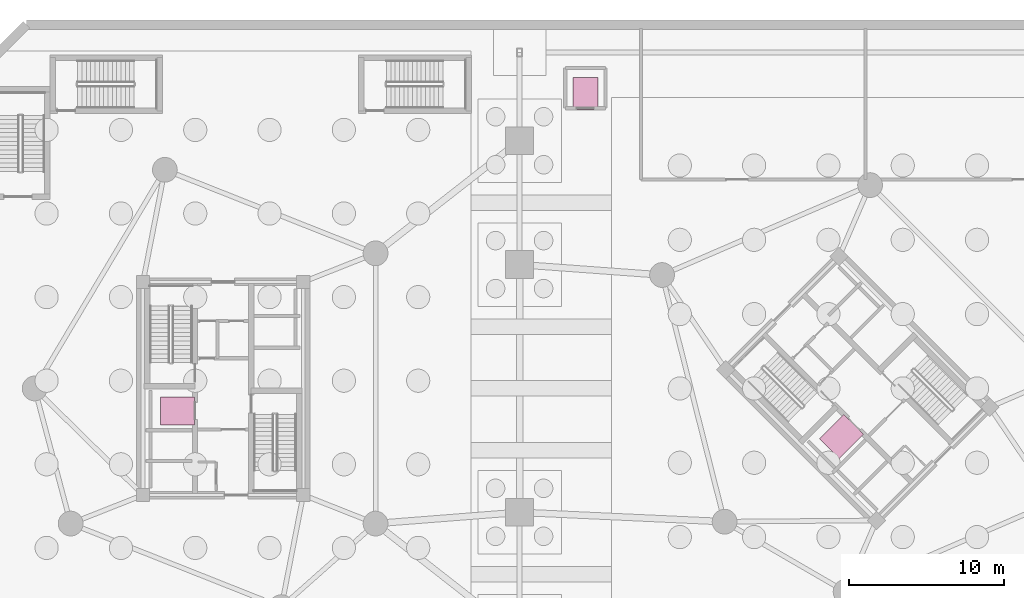
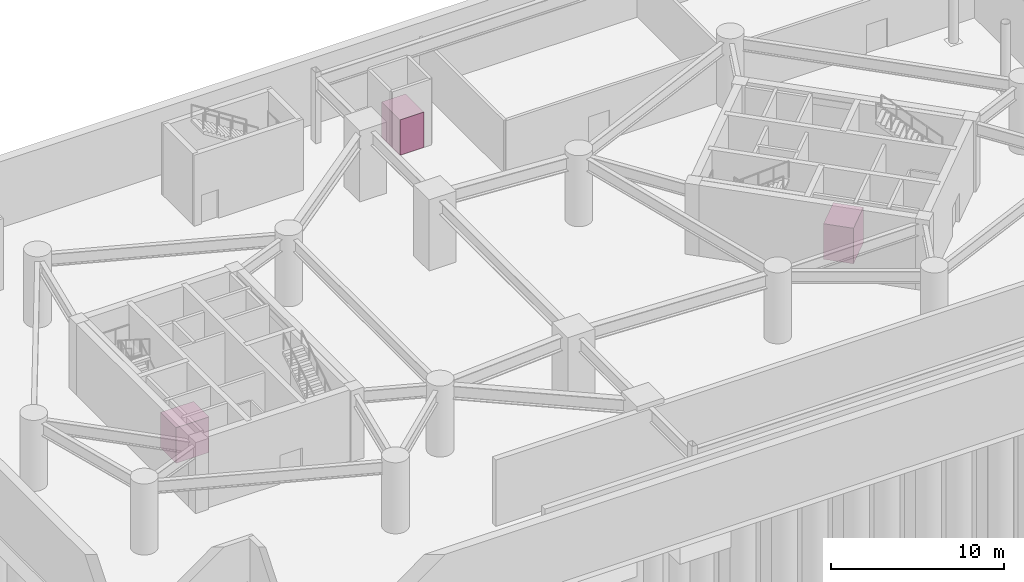
# One storey, part 15 of 15: 3 transport elements.
"""IFC4 building model written with IfcOpenShell, lengths in metres."""

from ifc_helpers import new_model, si_unit, direction, frame, origin, origin_2d, place, context, subcontext, project, spatial, rectangle, extrude, source, transform, mapped, material, type_object, element, save


model = new_model("IFC4")

# Units and contexts
model_context = context("Model", 3, precision=1e-05, world=origin(), true_north=direction((0.0, 1.0)))
body_context = subcontext(model_context, "Body", "Model", "MODEL_VIEW")
ifc_project = project(units=[si_unit("LENGTHUNIT", "METRE"), si_unit("AREAUNIT", "SQUARE_METRE"), si_unit("VOLUMEUNIT", "CUBIC_METRE"), si_unit("PLANEANGLEUNIT", "RADIAN"), si_unit("MASSUNIT", "GRAM", prefix="KILO")], contexts=[model_context])

# Site, building, storey
site_placement = place(None, origin())
site = spatial("IfcSite", under=ifc_project, at=site_placement, CompositionType="ELEMENT")
building_placement = place(site_placement, origin())
building = spatial("IfcBuilding", under=site, at=building_placement, Name="Cununo Teusaquillo Station Towers", CompositionType="ELEMENT")
storey_placement = place(building_placement, frame((0.0, 0.0, -10.0)))
storey = spatial("IfcBuildingStorey", under=building, at=storey_placement, Name="B02", CompositionType="ELEMENT", Elevation=-10.0)

# Transport elements
ifc_material_1 = material(Name="Anodised dark bronze aluminium EN AW-6063-T6", Category="aluminium")
transport_element_type_1 = type_object("IfcTransportElementType", Name="LIFT-FF-1800", PredefinedType="ELEVATOR", material=ifc_material_1)
shared_shape_1 = source(origin(), body_context, "Body", "SweptSolid", [
    extrude(rectangle(XDim=2.199951171875, YDim=1.800048828125, at=origin_2d()), origin(), (0.0, 0.0, 1.0), 2.5),
])
for number, where, z_axis, x_axis, name in (
    (1, (13.56005859375, 23.050048828125, 0.0), (0.0, 0.0, 1.0), (1.0, 0.0, 0.0), "Firefighting Lift FL-T1"),
    (2, (56.4462890625, 21.395751953125, 0.0), (0.0, 0.0, 1.0), (0.707106781187, 0.707106781187, 0.0), "Firefighting Lift FL-T2"),
):
    element("IfcTransportElement", number, at=place(storey_placement, frame(where, z_axis=z_axis, x_axis=x_axis)), inside=storey, type_object=transport_element_type_1, Name=name, PredefinedType="ELEVATOR", context=body_context, shape_type="MappedRepresentation", body=[
        mapped(shared_shape_1, transform((0.0, 0.0, 0.0), x_axis=(1.0, 0.0, 0.0), y_axis=(0.0, 1.0, 0.0), z_axis=(0.0, 0.0, 1.0), scale=1.0)),
    ])
ifc_material_2 = material(Name="Anodised dark bronze aluminium EN AW-6063-T6", Category="aluminium")
transport_element_type_2 = type_object("IfcTransportElementType", Name="LIFT-PASS-1600", PredefinedType="ELEVATOR", material=ifc_material_2)
shared_shape_2 = source(origin(), body_context, "Body", "SweptSolid", [
    extrude(rectangle(XDim=1.60009765625, YDim=2.10009765625, at=origin_2d()), origin(), (0.0, 0.0, 1.0), 2.5),
])
transport_element_placement = place(storey_placement, frame((39.89990234375, 43.550048828125, 0.0), z_axis=(0.0, 0.0, 1.0), x_axis=(1.0, 0.0, 0.0)))
element("IfcTransportElement", 3, at=transport_element_placement, inside=storey, type_object=transport_element_type_2, Name="Passenger Lift PL-POD1", PredefinedType="ELEVATOR", context=body_context, shape_type="MappedRepresentation", body=[
    mapped(shared_shape_2, transform((0.0, 0.0, 0.0), x_axis=(1.0, 0.0, 0.0), y_axis=(0.0, 1.0, 0.0), z_axis=(0.0, 0.0, 1.0), scale=1.0)),
])

save(model, "model.ifc")
